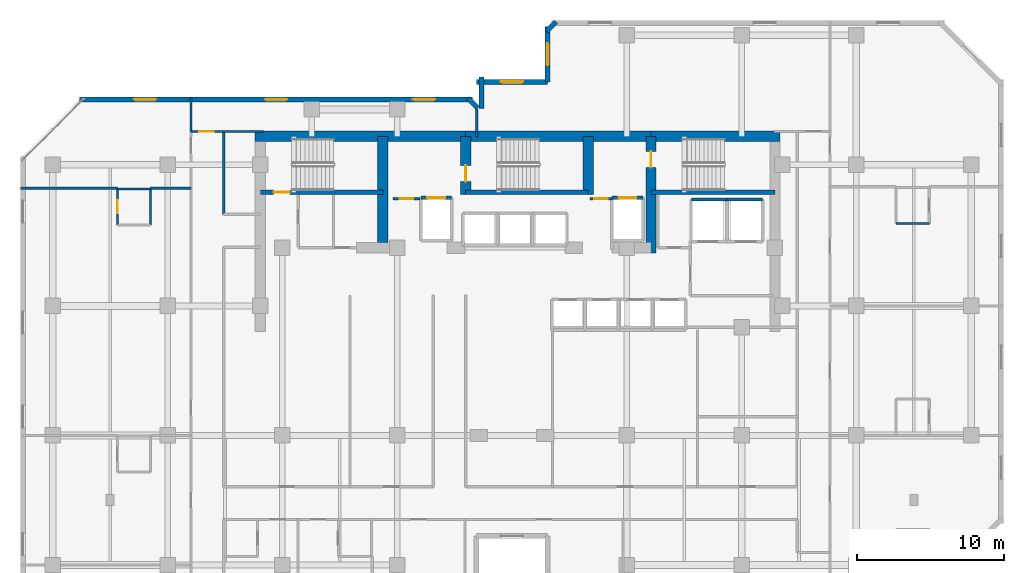
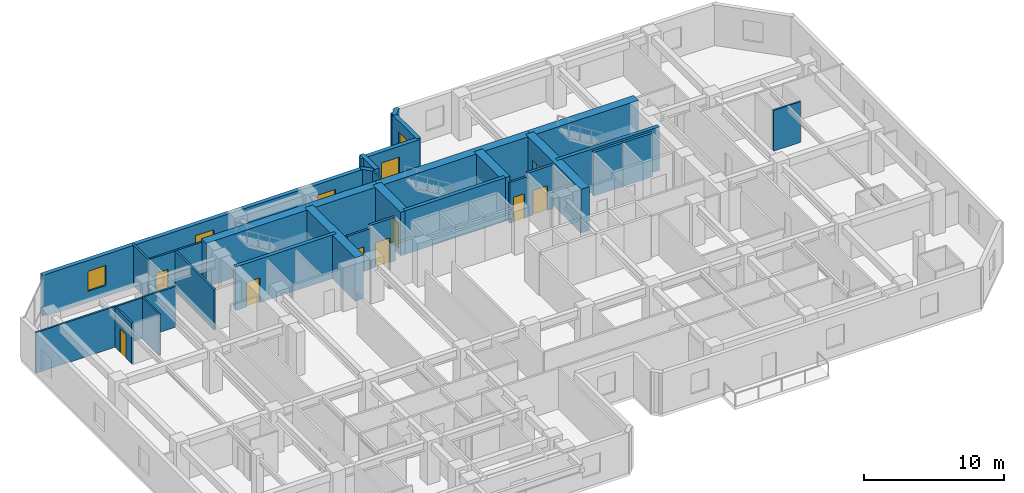
# One storey, part 8 of 11: 32 walls, 9 doors, 5 windows, 14 openings.
"""IFC4 building model written with IfcOpenShell, lengths in metres."""

import ifcopenshell
import ifcopenshell.guid

model = None  # the IFC model being written
_history = None  # IfcOwnerHistory: only IFC2X3 demands one
_inside = {}  # id of a spatial element -> (the spatial element, [elements in it])
_under = {}  # id of a project, library or spatial element -> (it, [spatial elements below it])
_declared = {}  # id of a project -> (the project, [libraries it declares])
_typed = {}  # id of a type object -> (the type object, [elements of that type])
_made_of = {}  # id of a material, layer set ... -> (it, [elements and type objects made of it])


def new_model(schema):
    """Start an empty IFC model of exactly this schema.

    Asked for "IFC4X3", IfcOpenShell would pick the latest addendum, in which some entities
    have other attributes; the version numbers below select the first issue.
    IFC2X3 requires an IfcOwnerHistory on every rooted entity: one is made here for all.
    """
    global model, _history
    if schema == "IFC4X3":
        model = ifcopenshell.file(schema_version=(4, 3, 0, 0))
    else:
        model = ifcopenshell.file(schema=schema)
    _inside.clear()
    _under.clear()
    _declared.clear()
    _typed.clear()
    _made_of.clear()
    _history = None
    if model.schema == "IFC2X3":
        org = make("IfcOrganization", Name="unknown")
        user = make(
            "IfcPersonAndOrganization",
            ThePerson=make("IfcPerson", FamilyName="unknown"),
            TheOrganization=org,
        )
        app = make(
            "IfcApplication",
            ApplicationDeveloper=org,
            Version="unknown",
            ApplicationFullName="unknown",
            ApplicationIdentifier="unknown",
        )
        _history = make(
            "IfcOwnerHistory",
            OwningUser=user,
            OwningApplication=app,
            ChangeAction="ADDED",
            CreationDate=0,
        )
    return model


def make(cls, **values):
    """One entity of the class cls with the attributes given. An attribute that is None is left unset."""
    return model.create_entity(
        cls, **{name: value for name, value in values.items() if value is not None}
    )


def rooted(cls, **values):
    """An entity with a GlobalId (a new one), such as an element, a storey or a relation."""
    return make(cls, GlobalId=ifcopenshell.guid.new(), OwnerHistory=_history, **values)


def si_unit(unit_type, name, prefix=None):
    """IfcSIUnit, for example si_unit("LENGTHUNIT", "METRE", prefix="MILLI")."""
    return make("IfcSIUnit", UnitType=unit_type, Prefix=prefix, Name=name)


def assignment(units):
    """IfcUnitAssignment: the units of a project."""
    return None if units is None else make("IfcUnitAssignment", Units=units)


def point(xyz):
    """IfcCartesianPoint."""
    return None if xyz is None else make("IfcCartesianPoint", Coordinates=xyz)


def direction(xyz):
    """IfcDirection."""
    return None if xyz is None else make("IfcDirection", DirectionRatios=xyz)


def frame(location, z_axis=None, x_axis=None):
    """IfcAxis2Placement3D, a coordinate frame: its origin and axes. An axis left out is left unset."""
    return make(
        "IfcAxis2Placement3D",
        Location=point(location),
        Axis=direction(z_axis),
        RefDirection=direction(x_axis),
    )


def frame_2d(location, x_axis=None):
    """IfcAxis2Placement2D, a coordinate frame in the plane: its origin and x axis."""
    return make(
        "IfcAxis2Placement2D", Location=point(location), RefDirection=direction(x_axis)
    )


def origin():
    """The frame at (0, 0, 0) with its axes left unset."""
    return frame((0.0, 0.0, 0.0))


def place(relative_to, where):
    """IfcLocalPlacement: puts the frame where relative to a parent placement (None: the world)."""
    return make(
        "IfcLocalPlacement", PlacementRelTo=relative_to, RelativePlacement=where
    )


def context(
    kind, dimensions, precision=None, world=None, true_north=None, identifier=None
):
    """IfcGeometricRepresentationContext, for example the 3D "Model" context."""
    return make(
        "IfcGeometricRepresentationContext",
        ContextIdentifier=identifier,
        ContextType=kind,
        CoordinateSpaceDimension=dimensions,
        Precision=precision,
        WorldCoordinateSystem=world,
        TrueNorth=true_north,
    )


def subcontext(parent, identifier, kind, view, scale=None):
    """IfcGeometricRepresentationSubContext, for example "Body" below "Model"."""
    return make(
        "IfcGeometricRepresentationSubContext",
        ContextIdentifier=identifier,
        ContextType=kind,
        ParentContext=parent,
        TargetScale=scale,
        TargetView=view,
    )


def project(units=None, contexts=None):
    """IfcProject with its units and contexts."""
    return rooted(
        "IfcProject",
        Name="project",
        RepresentationContexts=contexts,
        UnitsInContext=assignment(units),
    )


def spatial(cls, under=None, at=None, **own):
    """A site, building, storey or space (cls), placed at a placement, below another one or the project."""
    s = rooted(cls, ObjectPlacement=at, **own)
    if under is not None:
        _under.setdefault(under.id(), (under, []))[1].append(s)
    return s


def profile(cls, at=None, kind="AREA", **sizes):
    """A parametric profile (cls). Its sizes go by their IFC names, for example OverallWidth=200.0."""
    return make(cls, ProfileType=kind, Position=at, **sizes)


def rectangle(**sizes):
    """IfcRectangleProfileDef."""
    return profile("IfcRectangleProfileDef", **sizes)


def extrude(swept, where, along, depth):
    """IfcExtrudedAreaSolid: the profile swept, set in the frame where, extruded along a direction by depth."""
    return make(
        "IfcExtrudedAreaSolid",
        SweptArea=swept,
        Position=where,
        ExtrudedDirection=direction(along),
        Depth=depth,
    )


def shape(context_of_items, identifier, shape_type, items):
    """IfcShapeRepresentation: the items that make up one representation, for example the "Body"."""
    return make(
        "IfcShapeRepresentation",
        ContextOfItems=context_of_items,
        RepresentationIdentifier=identifier,
        RepresentationType=shape_type,
        Items=items,
    )


def material(Name=None, Category=None):
    """IfcMaterial."""
    return make("IfcMaterial", Name=Name, Category=Category)


def layer(
    of_material, thickness, ventilated=None, Name=None, Category=None, Priority=None
):
    """IfcMaterialLayer: one layer of a wall or slab, of a material (None: an air gap)."""
    return make(
        "IfcMaterialLayer",
        Material=of_material,
        LayerThickness=thickness,
        IsVentilated=ventilated,
        Name=Name,
        Category=Category,
        Priority=Priority,
    )


def layer_set(layers, Name=None):
    """IfcMaterialLayerSet."""
    return make("IfcMaterialLayerSet", MaterialLayers=layers, LayerSetName=Name)


def made_of(thing, what):
    """Note that an element or type object is made of a material, layer set ...; save() writes the relation."""
    if what is not None:
        _made_of.setdefault(what.id(), (what, []))[1].append(thing)
    return thing


def type_object(cls, material=None, **own):
    """A type object (cls), such as IfcWallType, which elements share."""
    return made_of(rooted(cls, **own), material)


def element(
    cls,
    number,
    at=None,
    inside=None,
    cuts=None,
    type_object=None,
    material=None,
    context=None,
    identifier="Body",
    shape_type=None,
    held_by="IfcProductDefinitionShape",
    body=None,
    shapes=None,
    **own,
):
    """One element of the class cls, such as IfcWall. Its Tag is "e" and its number.

    at: its placement. inside: the storey or other place that contains it. cuts: it is an
    opening in that element (IfcRelVoidsElement). A single representation is given by context,
    identifier, shape_type and body (its items); several are given by shapes. held_by: the class
    of the entity that holds the representations. save() writes the other relations.
    """
    e = rooted(cls, Tag="e%d" % number, ObjectPlacement=at, **own)
    if body is not None:
        shapes = [shape(context, identifier, shape_type, body)]
    if shapes is not None:
        e.Representation = make(held_by, Representations=shapes)
    if inside is not None:
        _inside.setdefault(inside.id(), (inside, []))[1].append(e)
    if cuts is not None:
        rooted(
            "IfcRelVoidsElement", RelatingBuildingElement=cuts, RelatedOpeningElement=e
        )
    if type_object is not None:
        _typed.setdefault(type_object.id(), (type_object, []))[1].append(e)
    return made_of(e, material)


def fill(opening, filler):
    """IfcRelFillsElement: the door or window that sits in an opening."""
    return rooted(
        "IfcRelFillsElement",
        RelatingOpeningElement=opening,
        RelatedBuildingElement=filler,
    )


def aggregate(whole, parts):
    """IfcRelAggregates: a whole, such as a stair, and the parts it consists of."""
    return rooted("IfcRelAggregates", RelatingObject=whole, RelatedObjects=parts)


def save(model, path):
    """Write the relations noted so far, then the file.

    IfcRelAggregates (storeys below a building ...), IfcRelContainedInSpatialStructure (elements
    in a storey), IfcRelDefinesByType, IfcRelAssociatesMaterial and IfcRelDeclares: one each for
    every whole, place, type object, material and project.
    """
    for whole, parts in _under.values():
        aggregate(whole, parts)
    for where, things in _inside.values():
        rooted(
            "IfcRelContainedInSpatialStructure",
            RelatedElements=things,
            RelatingStructure=where,
        )
    for kind, things in _typed.values():
        rooted("IfcRelDefinesByType", RelatedObjects=things, RelatingType=kind)
    for what, things in _made_of.values():
        rooted("IfcRelAssociatesMaterial", RelatedObjects=things, RelatingMaterial=what)
    for by, libraries in _declared.values():
        rooted("IfcRelDeclares", RelatingContext=by, RelatedDefinitions=libraries)
    model.write(path)


model = new_model("IFC4")

# Units and contexts
model_context = context("Model", 3, precision=1e-05, world=origin(), true_north=direction((0.0, 1.0)))
body_context = subcontext(model_context, "Body", "Model", "MODEL_VIEW")
ifc_project = project(units=[si_unit("LENGTHUNIT", "METRE"), si_unit("AREAUNIT", "SQUARE_METRE"), si_unit("VOLUMEUNIT", "CUBIC_METRE"), si_unit("PLANEANGLEUNIT", "RADIAN"), si_unit("MASSUNIT", "GRAM", prefix="KILO")], contexts=[model_context])

# Site, building, storey
site_placement = place(None, origin())
site = spatial("IfcSite", under=ifc_project, at=site_placement, CompositionType="ELEMENT")
building_placement = place(site_placement, origin())
building = spatial("IfcBuilding", under=site, at=building_placement, Name="Kestravale Grand Hotel", CompositionType="ELEMENT")
storey_placement = place(building_placement, frame((0.0, 0.0, 161.199951171875)))
storey = spatial("IfcBuildingStorey", under=building, at=storey_placement, Name="L40", CompositionType="ELEMENT", Elevation=161.199951171875)

# Walls
ifc_material_1 = material(Name="Concrete f'c 60 MPa", Category="concrete")
ifc_layer_1 = layer(ifc_material_1, 0.699951171875)
ifc_layer_set_1 = layer_set([ifc_layer_1], Name="EW-CORE-700")
wall_type_1 = type_object("IfcWallType", Name="EW-CORE-700", PredefinedType="SHEAR", material=ifc_layer_set_1)
wall_1_placement = place(storey_placement, frame((21.550048828125, 40.320068359375, 0.0), z_axis=(0.0, 0.0, 1.0), x_axis=(1.0, 0.0, 0.0)))
element("IfcWall", 1, at=wall_1_placement, inside=storey, type_object=wall_type_1, Name="L40 core shear wall N1", PredefinedType="SHEAR", context=body_context, shape_type="SweptSolid", body=[
    extrude(rectangle(XDim=14.300048828125, YDim=0.699951171875, at=frame_2d((7.14990234375, 0.0))), origin(), (0.0, 0.0, 1.0), 3.800048828125),
])
wall_2_placement = place(storey_placement, frame((35.85009765625, 40.320068359375, 0.0), z_axis=(0.0, 0.0, 1.0), x_axis=(1.0, 0.0, 0.0)))
element("IfcWall", 2, at=wall_2_placement, inside=storey, type_object=wall_type_1, Name="L40 core shear wall N2", PredefinedType="SHEAR", context=body_context, shape_type="SweptSolid", body=[
    extrude(rectangle(XDim=12.599853515625, YDim=0.699951171875, at=frame_2d((6.2998046875, 0.0))), origin(), (0.0, 0.0, 1.0), 3.800048828125),
])
wall_3_placement = place(storey_placement, frame((48.449951171875, 40.320068359375, 0.0), z_axis=(0.0, 0.0, 1.0), x_axis=(1.0, 0.0, 0.0)))
element("IfcWall", 3, at=wall_3_placement, inside=storey, type_object=wall_type_1, Name="L40 core shear wall N3", PredefinedType="SHEAR", context=body_context, shape_type="SweptSolid", body=[
    extrude(rectangle(XDim=8.77001953125, YDim=0.699951171875, at=frame_2d((4.385009765625, 0.0))), origin(), (0.0, 0.0, 1.0), 3.800048828125),
])
wall_4_placement = place(storey_placement, frame((30.219970703125, 33.10009765625, 0.0), z_axis=(0.0, 0.0, 1.0), x_axis=(0.0, 1.0, 0.0)))
element("IfcWall", 4, at=wall_4_placement, inside=storey, type_object=wall_type_1, Name="L40 core shear wall X1", PredefinedType="SHEAR", context=body_context, shape_type="SweptSolid", body=[
    extrude(rectangle(XDim=7.219970703125, YDim=0.699951171875, at=frame_2d((3.60986328125, 0.0))), origin(), (0.0, 0.0, 1.0), 3.800048828125),
])

# Wall, opening, door
wall_5_placement = place(storey_placement, frame((35.85009765625, 36.3701171875, 0.0), z_axis=(0.0, 0.0, 1.0), x_axis=(0.0, 1.0, 0.0)))
wall_5 = element("IfcWall", 5, at=wall_5_placement, inside=storey, type_object=wall_type_1, Name="L40 core shear wall X2", PredefinedType="SHEAR", context=body_context, shape_type="SweptSolid", body=[
    extrude(rectangle(XDim=3.949951171875, YDim=0.699951171875, at=frame_2d((1.97509765625, 0.0))), origin(), (0.0, 0.0, 1.0), 3.800048828125),
])
opening_1_placement = place(wall_5_placement, frame((0.8798828125, 0.0, 0.0)))
opening_1 = element("IfcOpeningElement", 6, at=opening_1_placement, cuts=wall_5, Name="Opening D-ST-1100", PredefinedType="OPENING", context=body_context, shape_type="SweptSolid", body=[
    extrude(rectangle(XDim=1.10009765625, YDim=2.14990234375, at=frame_2d((0.550048828125, 1.074951171875))), frame((0.0, 0.35986328125, 0.0), z_axis=(0.0, -1.0, 0.0), x_axis=(1.0, 0.0, 0.0)), (0.0, 0.0, 1.0), 0.719970703125),
])
ifc_material_2 = material(Name="Galvanised 90-minute fire-rated steel stair door", Category="steel")
door_type_1 = type_object("IfcDoorType", Name="D-ST-1100", OperationType="NOTDEFINED", PredefinedType="DOOR", material=ifc_material_2)
door_1_placement = place(opening_1_placement, origin())
door_1 = element("IfcDoor", 7, at=door_1_placement, inside=storey, type_object=door_type_1, Name="L40 Stair ST-2 FSAE fire door", OperationType="SINGLE_SWING_RIGHT", OverallHeight=2.14990234375, OverallWidth=1.10009765625, PredefinedType="DOOR", context=body_context, shape_type="SweptSolid", body=[
    extrude(rectangle(XDim=1.10009765625, YDim=2.14990234375, at=frame_2d((0.550048828125, 1.074951171875))), frame((0.0, 0.02490234375, 0.0), z_axis=(0.0, -1.0, 0.0), x_axis=(1.0, 0.0, 0.0)), (0.0, 0.0, 1.0), 0.050048828125),
])
fill(opening_1, door_1)

# Wall
wall_6_placement = place(storey_placement, frame((44.179931640625, 36.3701171875, 0.0), z_axis=(0.0, 0.0, 1.0), x_axis=(0.0, 1.0, 0.0)))
element("IfcWall", 8, at=wall_6_placement, inside=storey, type_object=wall_type_1, Name="L40 core shear wall X3", PredefinedType="SHEAR", context=body_context, shape_type="SweptSolid", body=[
    extrude(rectangle(XDim=3.949951171875, YDim=0.699951171875, at=frame_2d((1.97509765625, 0.0))), origin(), (0.0, 0.0, 1.0), 3.800048828125),
])

# Wall, opening, door
wall_7_placement = place(storey_placement, frame((48.449951171875, 32.39990234375, 0.0), z_axis=(0.0, 0.0, 1.0), x_axis=(0.0, 1.0, 0.0)))
wall_7 = element("IfcWall", 9, at=wall_7_placement, inside=storey, type_object=wall_type_1, Name="L40 core shear wall X4", PredefinedType="SHEAR", context=body_context, shape_type="SweptSolid", body=[
    extrude(rectangle(XDim=7.920166015625, YDim=0.699951171875, at=frame_2d((3.9599609375, 0.0))), origin(), (0.0, 0.0, 1.0), 3.800048828125),
])
opening_2_placement = place(wall_7_placement, frame((5.800048828125, 0.0, 0.0)))
opening_2 = element("IfcOpeningElement", 10, at=opening_2_placement, cuts=wall_7, Name="Opening D-ST-1100", PredefinedType="OPENING", context=body_context, shape_type="SweptSolid", body=[
    extrude(rectangle(XDim=1.10009765625, YDim=2.14990234375, at=frame_2d((0.550048828125, 1.074951171875))), frame((0.0, 0.35986328125, 0.0), z_axis=(0.0, -1.0, 0.0), x_axis=(1.0, 0.0, 0.0)), (0.0, 0.0, 1.0), 0.719970703125),
])
door_2_placement = place(opening_2_placement, origin())
door_2 = element("IfcDoor", 11, at=door_2_placement, inside=storey, type_object=door_type_1, Name="L40 Stair ST-3 FSAE fire door", OperationType="SINGLE_SWING_RIGHT", OverallHeight=2.14990234375, OverallWidth=1.10009765625, PredefinedType="DOOR", context=body_context, shape_type="SweptSolid", body=[
    extrude(rectangle(XDim=1.10009765625, YDim=2.14990234375, at=frame_2d((0.550048828125, 1.074951171875))), frame((0.0, 0.02490234375, 0.0), z_axis=(0.0, -1.0, 0.0), x_axis=(1.0, 0.0, 0.0)), (0.0, 0.0, 1.0), 0.050048828125),
])
fill(opening_2, door_2)

# Wall
ifc_material_3 = material(Name="Precast concrete f'c 45 MPa", Category="concrete")
ifc_layer_2 = layer(ifc_material_3, 0.340087890625)
ifc_layer_set_2 = layer_set([ifc_layer_2], Name="EW-PREC-340")
wall_type_2 = type_object("IfcWallType", Name="EW-PREC-340", PredefinedType="SOLIDWALL", material=ifc_layer_set_2)
wall_8_placement = place(storey_placement, frame((41.99853515625, 48.108154296875, 0.0), z_axis=(0.0, 0.0, 1.0), x_axis=(-0.707106781187, -0.707106781187, 0.0)))
element("IfcWall", 12, at=wall_8_placement, inside=storey, type_object=wall_type_2, Name="L40 fluted precast facade wall 12", PredefinedType="SOLIDWALL", context=body_context, shape_type="SweptSolid", body=[
    extrude(rectangle(XDim=0.9287109375, YDim=0.340087890625, at=frame_2d((0.46435546875, 0.0))), origin(), (0.0, 0.0, 1.0), 3.550048828125),
])

# Wall, opening, window
wall_9_placement = place(storey_placement, frame((41.419921875, 47.77001953125, 0.0), z_axis=(0.0, 0.0, 1.0), x_axis=(0.0, -1.0, 0.0)))
wall_9 = element("IfcWall", 13, at=wall_9_placement, inside=storey, type_object=wall_type_2, Name="L40 fluted precast facade wall 13", PredefinedType="SOLIDWALL", context=body_context, shape_type="SweptSolid", body=[
    extrude(rectangle(XDim=3.739990234375, YDim=0.340087890625, at=frame_2d((1.8701171875, 0.0))), origin(), (0.0, 0.0, 1.0), 3.550048828125),
])
opening_3_placement = place(wall_9_placement, frame((1.1201171875, 0.0, 0.85009765625)))
opening_3 = element("IfcOpeningElement", 14, at=opening_3_placement, cuts=wall_9, Name="Opening W-GUEST-1500", PredefinedType="OPENING", context=body_context, shape_type="SweptSolid", body=[
    extrude(rectangle(XDim=1.5, YDim=1.75, at=frame_2d((0.75, 0.875))), frame((0.0, 0.179931640625, 0.0), z_axis=(0.0, -1.0, 0.0), x_axis=(1.0, 0.0, 0.0)), (0.0, 0.0, 1.0), 0.360107421875),
])
ifc_material_4 = material(Name="Insulated low-E double glazing in aluminium frame", Category="aluminium")
window_type = type_object("IfcWindowType", Name="W-GUEST-1500", PartitioningType="SINGLE_PANEL", PredefinedType="WINDOW", material=ifc_material_4)
window_1_placement = place(opening_3_placement, origin())
window_1 = element("IfcWindow", 15, at=window_1_placement, inside=storey, type_object=window_type, Name="L40 exterior window 13.1", OverallHeight=1.75, OverallWidth=1.5, PartitioningType="SINGLE_PANEL", PredefinedType="WINDOW", context=body_context, shape_type="SweptSolid", body=[
    extrude(rectangle(XDim=1.5, YDim=1.75, at=frame_2d((0.75, 0.875))), frame((0.0, 0.030029296875, 0.0), z_axis=(0.0, -1.0, 0.0), x_axis=(1.0, 0.0, 0.0)), (0.0, 0.0, 1.0), 0.06005859375),
])
fill(opening_3, window_1)

wall_10_placement = place(storey_placement, frame((41.419921875, 44.030029296875, 0.0), z_axis=(0.0, 0.0, 1.0), x_axis=(-1.0, 0.0, 0.0)))
wall_10 = element("IfcWall", 16, at=wall_10_placement, inside=storey, type_object=wall_type_2, Name="L40 fluted precast facade wall 14", PredefinedType="SOLIDWALL", context=body_context, shape_type="SweptSolid", body=[
    extrude(rectangle(XDim=4.83984375, YDim=0.340087890625, at=frame_2d((2.419921875, 0.0))), origin(), (0.0, 0.0, 1.0), 3.550048828125),
])
opening_4_placement = place(wall_10_placement, frame((1.669921875, 0.0, 0.85009765625)))
opening_4 = element("IfcOpeningElement", 17, at=opening_4_placement, cuts=wall_10, Name="Opening W-GUEST-1500", PredefinedType="OPENING", context=body_context, shape_type="SweptSolid", body=[
    extrude(rectangle(XDim=1.5, YDim=1.75, at=frame_2d((0.75, 0.875))), frame((0.0, 0.179931640625, 0.0), z_axis=(0.0, -1.0, 0.0), x_axis=(1.0, 0.0, 0.0)), (0.0, 0.0, 1.0), 0.360107421875),
])
window_2_placement = place(opening_4_placement, origin())
window_2 = element("IfcWindow", 18, at=window_2_placement, inside=storey, type_object=window_type, Name="L40 exterior window 14.1", OverallHeight=1.75, OverallWidth=1.5, PartitioningType="SINGLE_PANEL", PredefinedType="WINDOW", context=body_context, shape_type="SweptSolid", body=[
    extrude(rectangle(XDim=1.5, YDim=1.75, at=frame_2d((0.75, 0.875))), frame((0.0, 0.030029296875, 0.0), z_axis=(0.0, -1.0, 0.0), x_axis=(1.0, 0.0, 0.0)), (0.0, 0.0, 1.0), 0.06005859375),
])
fill(opening_4, window_2)

# Walls
wall_11_placement = place(storey_placement, frame((36.919921875, 44.3701171875, 0.0), z_axis=(0.0, 0.0, 1.0), x_axis=(0.0, -1.0, 0.0)))
element("IfcWall", 19, at=wall_11_placement, inside=storey, type_object=wall_type_2, Name="L40 fluted precast facade wall 15", PredefinedType="SOLIDWALL", context=body_context, shape_type="SweptSolid", body=[
    extrude(rectangle(XDim=2.14013671875, YDim=0.340087890625, at=frame_2d((1.070068359375, 0.0))), origin(), (0.0, 0.0, 1.0), 3.550048828125),
])
wall_12_placement = place(storey_placement, frame((36.658203125, 42.25146484375, 0.0), z_axis=(0.0, 0.0, 1.0), x_axis=(-0.707106781187, 0.707106781187, 0.0)))
element("IfcWall", 20, at=wall_12_placement, inside=storey, type_object=wall_type_2, Name="L40 fluted precast facade wall 16", PredefinedType="SOLIDWALL", context=body_context, shape_type="SweptSolid", body=[
    extrude(rectangle(XDim=0.9287109375, YDim=0.340087890625, at=frame_2d((0.46435546875, 0.0))), origin(), (0.0, 0.0, 1.0), 3.550048828125),
])

# Wall, openings, windows
wall_13_placement = place(storey_placement, frame((36.320068359375, 42.830078125, 0.0), z_axis=(0.0, 0.0, 1.0), x_axis=(-1.0, 0.0, 0.0)))
wall_13 = element("IfcWall", 21, at=wall_13_placement, inside=storey, type_object=wall_type_2, Name="L40 fluted precast facade wall 17", PredefinedType="SOLIDWALL", context=body_context, shape_type="SweptSolid", body=[
    extrude(rectangle(XDim=26.690185546875, YDim=0.340087890625, at=frame_2d((13.34521484375, 0.0))), origin(), (0.0, 0.0, 1.0), 3.550048828125),
])
opening_5_placement = place(wall_13_placement, frame((2.54833984375, 0.0, 0.85009765625)))
opening_5 = element("IfcOpeningElement", 22, at=opening_5_placement, cuts=wall_13, Name="Opening W-GUEST-1500", PredefinedType="OPENING", context=body_context, shape_type="SweptSolid", body=[
    extrude(rectangle(XDim=1.5, YDim=1.75, at=frame_2d((0.75, 0.875))), frame((0.0, 0.179931640625, 0.0), z_axis=(0.0, -1.0, 0.0), x_axis=(1.0, 0.0, 0.0)), (0.0, 0.0, 1.0), 0.360107421875),
])
opening_6_placement = place(wall_13_placement, frame((12.594970703125, 0.0, 0.85009765625)))
opening_6 = element("IfcOpeningElement", 23, at=opening_6_placement, cuts=wall_13, Name="Opening W-GUEST-1500", PredefinedType="OPENING", context=body_context, shape_type="SweptSolid", body=[
    extrude(rectangle(XDim=1.5, YDim=1.75, at=frame_2d((0.75, 0.875))), frame((0.0, 0.179931640625, 0.0), z_axis=(0.0, -1.0, 0.0), x_axis=(1.0, 0.0, 0.0)), (0.0, 0.0, 1.0), 0.360107421875),
])
opening_7_placement = place(wall_13_placement, frame((21.49169921875, 0.0, 0.85009765625)))
opening_7 = element("IfcOpeningElement", 24, at=opening_7_placement, cuts=wall_13, Name="Opening W-GUEST-1500", PredefinedType="OPENING", context=body_context, shape_type="SweptSolid", body=[
    extrude(rectangle(XDim=1.5, YDim=1.75, at=frame_2d((0.75, 0.875))), frame((0.0, 0.179931640625, 0.0), z_axis=(0.0, -1.0, 0.0), x_axis=(1.0, 0.0, 0.0)), (0.0, 0.0, 1.0), 0.360107421875),
])
window_3_placement = place(opening_5_placement, origin())
window_3 = element("IfcWindow", 25, at=window_3_placement, inside=storey, type_object=window_type, Name="L40 exterior window 17.1", OverallHeight=1.75, OverallWidth=1.5, PartitioningType="SINGLE_PANEL", PredefinedType="WINDOW", context=body_context, shape_type="SweptSolid", body=[
    extrude(rectangle(XDim=1.5, YDim=1.75, at=frame_2d((0.75, 0.875))), frame((0.0, 0.030029296875, 0.0), z_axis=(0.0, -1.0, 0.0), x_axis=(1.0, 0.0, 0.0)), (0.0, 0.0, 1.0), 0.06005859375),
])
fill(opening_5, window_3)
window_4_placement = place(opening_6_placement, origin())
window_4 = element("IfcWindow", 26, at=window_4_placement, inside=storey, type_object=window_type, Name="L40 exterior window 17.2", OverallHeight=1.75, OverallWidth=1.5, PartitioningType="SINGLE_PANEL", PredefinedType="WINDOW", context=body_context, shape_type="SweptSolid", body=[
    extrude(rectangle(XDim=1.5, YDim=1.75, at=frame_2d((0.75, 0.875))), frame((0.0, 0.030029296875, 0.0), z_axis=(0.0, -1.0, 0.0), x_axis=(1.0, 0.0, 0.0)), (0.0, 0.0, 1.0), 0.06005859375),
])
fill(opening_6, window_4)
window_5_placement = place(opening_7_placement, origin())
window_5 = element("IfcWindow", 27, at=window_5_placement, inside=storey, type_object=window_type, Name="L40 exterior window 17.3", OverallHeight=1.75, OverallWidth=1.5, PartitioningType="SINGLE_PANEL", PredefinedType="WINDOW", context=body_context, shape_type="SweptSolid", body=[
    extrude(rectangle(XDim=1.5, YDim=1.75, at=frame_2d((0.75, 0.875))), frame((0.0, 0.030029296875, 0.0), z_axis=(0.0, -1.0, 0.0), x_axis=(1.0, 0.0, 0.0)), (0.0, 0.0, 1.0), 0.06005859375),
])
fill(opening_7, window_5)

# Wall, opening, door
ifc_material_5 = material(Name="Concrete f'c 45 MPa", Category="concrete")
ifc_layer_3 = layer(ifc_material_5, 0.300048828125)
ifc_layer_set_3 = layer_set([ifc_layer_3], Name="EW-STAIR-300")
wall_type_3 = type_object("IfcWallType", Name="EW-STAIR-300", PredefinedType="SHEAR", material=ifc_layer_set_3)
wall_14_placement = place(storey_placement, frame((21.89990234375, 36.52001953125, 0.0), z_axis=(0.0, 0.0, 1.0), x_axis=(1.0, 0.0, 0.0)))
wall_14 = element("IfcWall", 28, at=wall_14_placement, inside=storey, type_object=wall_type_3, Name="L40 stair enclosure shear wall SST1", PredefinedType="SHEAR", context=body_context, shape_type="SweptSolid", body=[
    extrude(rectangle(XDim=8.320068359375, YDim=0.300048828125, at=frame_2d((4.16015625, 0.0))), origin(), (0.0, 0.0, 1.0), 3.800048828125),
])
opening_8_placement = place(wall_14_placement, frame((0.89990234375, 0.0, 0.0)))
opening_8 = element("IfcOpeningElement", 29, at=opening_8_placement, cuts=wall_14, Name="Opening D-ST-1100", PredefinedType="OPENING", context=body_context, shape_type="SweptSolid", body=[
    extrude(rectangle(XDim=1.10009765625, YDim=2.14990234375, at=frame_2d((0.550048828125, 1.074951171875))), frame((0.0, 0.159912109375, 0.0), z_axis=(0.0, -1.0, 0.0), x_axis=(1.0, 0.0, 0.0)), (0.0, 0.0, 1.0), 0.320068359375),
])
door_3_placement = place(opening_8_placement, origin())
door_3 = element("IfcDoor", 30, at=door_3_placement, inside=storey, type_object=door_type_1, Name="L40 Stair ST-1 fire door", OperationType="SINGLE_SWING_RIGHT", OverallHeight=2.14990234375, OverallWidth=1.10009765625, PredefinedType="DOOR", context=body_context, shape_type="SweptSolid", body=[
    extrude(rectangle(XDim=1.10009765625, YDim=2.14990234375, at=frame_2d((0.550048828125, 1.074951171875))), frame((0.0, 0.02490234375, 0.0), z_axis=(0.0, -1.0, 0.0), x_axis=(1.0, 0.0, 0.0)), (0.0, 0.0, 1.0), 0.050048828125),
])
fill(opening_8, door_3)

# Walls
wall_15_placement = place(storey_placement, frame((35.85009765625, 36.52001953125, 0.0), z_axis=(0.0, 0.0, 1.0), x_axis=(1.0, 0.0, 0.0)))
element("IfcWall", 31, at=wall_15_placement, inside=storey, type_object=wall_type_3, Name="L40 stair enclosure shear wall SST2", PredefinedType="SHEAR", context=body_context, shape_type="SweptSolid", body=[
    extrude(rectangle(XDim=8.329833984375, YDim=0.300048828125, at=frame_2d((4.1650390625, 0.0))), origin(), (0.0, 0.0, 1.0), 3.800048828125),
])
wall_16_placement = place(storey_placement, frame((48.449951171875, 36.52001953125, 0.0), z_axis=(0.0, 0.0, 1.0), x_axis=(1.0, 0.0, 0.0)))
element("IfcWall", 32, at=wall_16_placement, inside=storey, type_object=wall_type_3, Name="L40 stair enclosure shear wall SST3", PredefinedType="SHEAR", context=body_context, shape_type="SweptSolid", body=[
    extrude(rectangle(XDim=8.420166015625, YDim=0.300048828125, at=frame_2d((4.2099609375, 0.0))), origin(), (0.0, 0.0, 1.0), 3.800048828125),
])
ifc_material_6 = material(Name="Acoustic fire-rated gypsum board partition", Category="other")
ifc_layer_4 = layer(ifc_material_6, 0.159912109375)
ifc_layer_set_4 = layer_set([ifc_layer_4], Name="IW-CORR-160")
wall_type_4 = type_object("IfcWallType", Name="IW-CORR-160", PredefinedType="PARTITIONING", material=ifc_layer_set_4)
wall_17_placement = place(storey_placement, frame((19.409912109375, 35.02001953125, 0.0), z_axis=(0.0, 0.0, 1.0), x_axis=(0.0, 1.0, 0.0)))
element("IfcWall", 33, at=wall_17_placement, inside=storey, type_object=wall_type_4, Name="W-L40-SW-EN", PredefinedType="PARTITIONING", context=body_context, shape_type="SweptSolid", body=[
    extrude(rectangle(XDim=5.6298828125, YDim=0.159912109375, at=frame_2d((2.81494140625, 0.0))), origin(), (0.0, 0.0, 1.0), 3.550048828125),
])

# Wall, opening, door
ifc_material_7 = material(Name="Fire-rated gypsum board on steel studs with mineral wool", Category="steel")
ifc_layer_5 = layer(ifc_material_7, 0.179931640625)
ifc_layer_set_5 = layer_set([ifc_layer_5], Name="IW-FSAE-180")
wall_type_5 = type_object("IfcWallType", Name="IW-FSAE-180", PredefinedType="PARTITIONING", material=ifc_layer_set_5)
wall_18_placement = place(storey_placement, frame((30.89990234375, 36.080078125, 0.0), z_axis=(0.0, 0.0, 1.0), x_axis=(1.0, 0.0, 0.0)))
wall_18 = element("IfcWall", 34, at=wall_18_placement, inside=storey, type_object=wall_type_5, Name="L40 FSAE Lobby 1 smoke barrier", PredefinedType="PARTITIONING", context=body_context, shape_type="SweptSolid", body=[
    extrude(rectangle(XDim=1.85009765625, YDim=0.179931640625, at=frame_2d((0.925048828125, 0.0))), origin(), (0.0, 0.0, 1.0), 3.550048828125),
])
opening_9_placement = place(wall_18_placement, frame((0.47998046875, 0.0, 0.0)))
opening_9 = element("IfcOpeningElement", 35, at=opening_9_placement, cuts=wall_18, Name="Opening D-FSAE-1000", PredefinedType="OPENING", context=body_context, shape_type="SweptSolid", body=[
    extrude(rectangle(XDim=0.89990234375, YDim=2.14990234375, at=frame_2d((0.449951171875, 1.074951171875))), frame((0.0, 0.099853515625, 0.0), z_axis=(0.0, -1.0, 0.0), x_axis=(1.0, 0.0, 0.0)), (0.0, 0.0, 1.0), 0.199951171875),
])
ifc_material_8 = material(Name="Smoke-gasketed FSAE lobby fire door", Category="steel")
door_type_2 = type_object("IfcDoorType", Name="D-FSAE-1000", OperationType="NOTDEFINED", PredefinedType="DOOR", material=ifc_material_8)
door_4_placement = place(opening_9_placement, origin())
door_4 = element("IfcDoor", 36, at=door_4_placement, inside=storey, type_object=door_type_2, Name="L40 FSAE Lobby 1 fire door", OperationType="SINGLE_SWING_RIGHT", OverallHeight=2.14990234375, OverallWidth=0.89990234375, PredefinedType="DOOR", context=body_context, shape_type="SweptSolid", body=[
    extrude(rectangle(XDim=0.89990234375, YDim=2.14990234375, at=frame_2d((0.449951171875, 1.074951171875))), frame((0.0, 0.02490234375, 0.0), z_axis=(0.0, -1.0, 0.0), x_axis=(1.0, 0.0, 0.0)), (0.0, 0.0, 1.0), 0.050048828125),
])
fill(opening_9, door_4)

wall_19_placement = place(storey_placement, frame((44.300048828125, 36.080078125, 0.0), z_axis=(0.0, 0.0, 1.0), x_axis=(1.0, 0.0, 0.0)))
wall_19 = element("IfcWall", 37, at=wall_19_placement, inside=storey, type_object=wall_type_5, Name="L40 FSAE Lobby 2 smoke barrier", PredefinedType="PARTITIONING", context=body_context, shape_type="SweptSolid", body=[
    extrude(rectangle(XDim=1.5, YDim=0.179931640625, at=frame_2d((0.75, 0.0))), origin(), (0.0, 0.0, 1.0), 3.550048828125),
])
opening_10_placement = place(wall_19_placement, frame((0.300048828125, 0.0, 0.0)))
opening_10 = element("IfcOpeningElement", 38, at=opening_10_placement, cuts=wall_19, Name="Opening D-FSAE-1000", PredefinedType="OPENING", context=body_context, shape_type="SweptSolid", body=[
    extrude(rectangle(XDim=0.89990234375, YDim=2.14990234375, at=frame_2d((0.449951171875, 1.074951171875))), frame((0.0, 0.099853515625, 0.0), z_axis=(0.0, -1.0, 0.0), x_axis=(1.0, 0.0, 0.0)), (0.0, 0.0, 1.0), 0.199951171875),
])
door_5_placement = place(opening_10_placement, origin())
door_5 = element("IfcDoor", 39, at=door_5_placement, inside=storey, type_object=door_type_2, Name="L40 FSAE Lobby 2 fire door", OperationType="SINGLE_SWING_LEFT", OverallHeight=2.14990234375, OverallWidth=0.89990234375, PredefinedType="DOOR", context=body_context, shape_type="SweptSolid", body=[
    extrude(rectangle(XDim=0.89990234375, YDim=2.14990234375, at=frame_2d((0.449951171875, 1.074951171875))), frame((0.0, 0.02490234375, 0.0), z_axis=(0.0, -1.0, 0.0), x_axis=(1.0, 0.0, 0.0)), (0.0, 0.0, 1.0), 0.050048828125),
])
fill(opening_10, door_5)

ifc_material_9 = material(Name="Moisture-resistant tile-backer plumbing chase wall", Category="other")
ifc_layer_6 = layer(ifc_material_9, 0.139892578125)
ifc_layer_set_6 = layer_set([ifc_layer_6], Name="IW-PLB-140")
wall_type_6 = type_object("IfcWallType", Name="IW-PLB-140", PredefinedType="PLUMBINGWALL", material=ifc_layer_set_6)
wall_20_placement = place(storey_placement, frame((12.199951171875, 34.31005859375, 0.0), z_axis=(0.0, 0.0, 1.0), x_axis=(0.0, 1.0, 0.0)))
wall_20 = element("IfcWall", 40, at=wall_20_placement, inside=storey, type_object=wall_type_6, Name="W-L40-U05-BW", PredefinedType="PLUMBINGWALL", context=body_context, shape_type="SweptSolid", body=[
    extrude(rectangle(XDim=2.449951171875, YDim=0.139892578125, at=frame_2d((1.22509765625, 0.0))), origin(), (0.0, 0.0, 1.0), 3.550048828125),
])
opening_11_placement = place(wall_20_placement, frame((0.784912109375, 0.0, 0.0)))
opening_11 = element("IfcOpeningElement", 41, at=opening_11_placement, cuts=wall_20, Name="Opening D-BATH-880", PredefinedType="OPENING", context=body_context, shape_type="SweptSolid", body=[
    extrude(rectangle(XDim=0.8798828125, YDim=2.050048828125, at=frame_2d((0.43994140625, 1.02490234375))), frame((0.0, 0.079833984375, 0.0), z_axis=(0.0, -1.0, 0.0), x_axis=(1.0, 0.0, 0.0)), (0.0, 0.0, 1.0), 0.159912109375),
])
ifc_material_10 = material(Name="Moisture-sealed walnut en-suite bathroom door", Category="wood")
door_type_3 = type_object("IfcDoorType", Name="D-BATH-880", OperationType="NOTDEFINED", PredefinedType="DOOR", material=ifc_material_10)
door_6_placement = place(opening_11_placement, origin())
door_6 = element("IfcDoor", 42, at=door_6_placement, inside=storey, type_object=door_type_3, Name="D-L40-U05-BATH", OperationType="SINGLE_SWING_LEFT", OverallHeight=2.050048828125, OverallWidth=0.8798828125, PredefinedType="DOOR", context=body_context, shape_type="SweptSolid", body=[
    extrude(rectangle(XDim=0.8798828125, YDim=2.050048828125, at=frame_2d((0.43994140625, 1.02490234375))), frame((0.0, 0.02490234375, 0.0), z_axis=(0.0, -1.0, 0.0), x_axis=(1.0, 0.0, 0.0)), (0.0, 0.0, 1.0), 0.050048828125),
])
fill(opening_11, door_6)

# Walls
wall_21_placement = place(storey_placement, frame((14.449951171875, 34.31005859375, 0.0), z_axis=(0.0, 0.0, 1.0), x_axis=(0.0, 1.0, 0.0)))
element("IfcWall", 43, at=wall_21_placement, inside=storey, type_object=wall_type_6, Name="W-L40-U05-BE", PredefinedType="PLUMBINGWALL", context=body_context, shape_type="SweptSolid", body=[
    extrude(rectangle(XDim=2.449951171875, YDim=0.139892578125, at=frame_2d((1.22509765625, 0.0))), origin(), (0.0, 0.0, 1.0), 3.550048828125),
])
for number, where, z_axis, x_axis, name in (
    (44, (12.199951171875, 36.760009765625, 0.0), (0.0, 0.0, 1.0), (1.0, 0.0, 0.0), "W-L40-U05-BN"),
    (45, (65.10009765625, 34.409912109375, 0.0), (0.0, 0.0, 1.0), (1.0, 0.0, 0.0), "W-L40-U08-BS"),
):
    element("IfcWall", number, at=place(storey_placement, frame(where, z_axis=z_axis, x_axis=x_axis)), inside=storey, type_object=wall_type_6, Name=name, PredefinedType="PLUMBINGWALL", context=body_context, shape_type="SweptSolid", body=[
        extrude(rectangle(XDim=2.25, YDim=0.139892578125, at=frame_2d((1.125, 0.0))), origin(), (0.0, 0.0, 1.0), 3.550048828125),
    ])
ifc_material_11 = material(Name="Concrete f'c 45 MPa", Category="concrete")
ifc_layer_7 = layer(ifc_material_11, 0.219970703125)
ifc_layer_set_7 = layer_set([ifc_layer_7], Name="IW-SHAFT-220")
wall_type_7 = type_object("IfcWallType", Name="IW-SHAFT-220", PredefinedType="SHEAR", material=ifc_layer_set_7)
wall_22_placement = place(storey_placement, frame((51.179931640625, 36.030029296875, 0.0), z_axis=(0.0, 0.0, 1.0), x_axis=(1.0, 0.0, 0.0)))
element("IfcWall", 46, at=wall_22_placement, inside=storey, type_object=wall_type_7, Name="L40 SL-1 north shaft wall", PredefinedType="SHEAR", context=body_context, shape_type="SweptSolid", body=[
    extrude(rectangle(XDim=2.420166015625, YDim=0.219970703125, at=frame_2d((1.2099609375, 0.0))), origin(), (0.0, 0.0, 1.0), 3.800048828125),
])
wall_23_placement = place(storey_placement, frame((53.60009765625, 36.030029296875, 0.0), z_axis=(0.0, 0.0, 1.0), x_axis=(1.0, 0.0, 0.0)))
element("IfcWall", 47, at=wall_23_placement, inside=storey, type_object=wall_type_7, Name="L40 SL-2 north shaft wall", PredefinedType="SHEAR", context=body_context, shape_type="SweptSolid", body=[
    extrude(rectangle(XDim=2.419921875, YDim=0.219970703125, at=frame_2d((1.2099609375, 0.0))), origin(), (0.0, 0.0, 1.0), 3.800048828125),
])

# Wall, opening, door
wall_24_placement = place(storey_placement, frame((32.804931640625, 36.155029296875, 0.0), z_axis=(0.0, 0.0, 1.0), x_axis=(1.0, 0.0, 0.0)))
wall_24 = element("IfcWall", 48, at=wall_24_placement, inside=storey, type_object=wall_type_7, Name="L40 FL-1 north shaft wall", PredefinedType="SHEAR", context=body_context, shape_type="SweptSolid", body=[
    extrude(rectangle(XDim=2.090087890625, YDim=0.219970703125, at=frame_2d((1.044921875, 0.0))), origin(), (0.0, 0.0, 1.0), 3.800048828125),
])
opening_12_placement = place(wall_24_placement, frame((0.445068359375, 0.0, 0.0)))
opening_12 = element("IfcOpeningElement", 49, at=opening_12_placement, cuts=wall_24, Name="Opening LD-FSAE-1200", PredefinedType="OPENING", context=body_context, shape_type="SweptSolid", body=[
    extrude(rectangle(XDim=1.199951171875, YDim=2.14990234375, at=frame_2d((0.60009765625, 1.074951171875))), frame((0.0, 0.119873046875, 0.0), z_axis=(0.0, -1.0, 0.0), x_axis=(1.0, 0.0, 0.0)), (0.0, 0.0, 1.0), 0.239990234375),
])
ifc_material_12 = material(Name="Stainless fire-service sliding elevator landing door", Category="steel")
door_type_4 = type_object("IfcDoorType", Name="LD-FSAE-1200", OperationType="NOTDEFINED", PredefinedType="DOOR", material=ifc_material_12)
door_7_placement = place(opening_12_placement, origin())
door_7 = element("IfcDoor", 50, at=door_7_placement, inside=storey, type_object=door_type_4, Name="L40 FL-1 elevator landing sliding door", OperationType="DOUBLE_DOOR_SLIDING", OverallHeight=2.14990234375, OverallWidth=1.199951171875, PredefinedType="DOOR", context=body_context, shape_type="SweptSolid", body=[
    extrude(rectangle(XDim=1.199951171875, YDim=2.14990234375, at=frame_2d((0.60009765625, 1.074951171875))), frame((0.0, 0.02490234375, 0.0), z_axis=(0.0, -1.0, 0.0), x_axis=(1.0, 0.0, 0.0)), (0.0, 0.0, 1.0), 0.050048828125),
])
fill(opening_12, door_7)

wall_25_placement = place(storey_placement, frame((45.804931640625, 36.155029296875, 0.0), z_axis=(0.0, 0.0, 1.0), x_axis=(1.0, 0.0, 0.0)))
wall_25 = element("IfcWall", 51, at=wall_25_placement, inside=storey, type_object=wall_type_7, Name="L40 FL-2 north shaft wall", PredefinedType="SHEAR", context=body_context, shape_type="SweptSolid", body=[
    extrude(rectangle(XDim=2.090087890625, YDim=0.219970703125, at=frame_2d((1.044921875, 0.0))), origin(), (0.0, 0.0, 1.0), 3.800048828125),
])
opening_13_placement = place(wall_25_placement, frame((0.445068359375, 0.0, 0.0)))
opening_13 = element("IfcOpeningElement", 52, at=opening_13_placement, cuts=wall_25, Name="Opening LD-FSAE-1200", PredefinedType="OPENING", context=body_context, shape_type="SweptSolid", body=[
    extrude(rectangle(XDim=1.199951171875, YDim=2.14990234375, at=frame_2d((0.60009765625, 1.074951171875))), frame((0.0, 0.119873046875, 0.0), z_axis=(0.0, -1.0, 0.0), x_axis=(1.0, 0.0, 0.0)), (0.0, 0.0, 1.0), 0.239990234375),
])
door_8_placement = place(opening_13_placement, origin())
door_8 = element("IfcDoor", 53, at=door_8_placement, inside=storey, type_object=door_type_4, Name="L40 FL-2 elevator landing sliding door", OperationType="DOUBLE_DOOR_SLIDING", OverallHeight=2.14990234375, OverallWidth=1.199951171875, PredefinedType="DOOR", context=body_context, shape_type="SweptSolid", body=[
    extrude(rectangle(XDim=1.199951171875, YDim=2.14990234375, at=frame_2d((0.60009765625, 1.074951171875))), frame((0.0, 0.02490234375, 0.0), z_axis=(0.0, -1.0, 0.0), x_axis=(1.0, 0.0, 0.0)), (0.0, 0.0, 1.0), 0.050048828125),
])
fill(opening_13, door_8)

ifc_material_13 = material(Name="Double-stud STC 52 acoustic demising partition", Category="other")
ifc_layer_8 = layer(ifc_material_13, 0.14990234375)
ifc_layer_set_8 = layer_set([ifc_layer_8], Name="IW-UNIT-150")
wall_type_8 = type_object("IfcWallType", Name="IW-UNIT-150", PredefinedType="PARTITIONING", material=ifc_layer_set_8)
wall_26_placement = place(storey_placement, frame((17.18994140625, 40.64990234375, 0.0), z_axis=(0.0, 0.0, 1.0), x_axis=(1.0, 0.0, 0.0)))
wall_26 = element("IfcWall", 54, at=wall_26_placement, inside=storey, type_object=wall_type_8, Name="W-L40-SW-N", PredefinedType="PARTITIONING", context=body_context, shape_type="SweptSolid", body=[
    extrude(rectangle(XDim=4.91015625, YDim=0.14990234375, at=frame_2d((2.455078125, 0.0))), origin(), (0.0, 0.0, 1.0), 3.550048828125),
])
opening_14_placement = place(wall_26_placement, frame((0.550048828125, 0.0, 0.0)))
opening_14 = element("IfcOpeningElement", 55, at=opening_14_placement, cuts=wall_26, Name="Opening D-GUEST-1000", PredefinedType="OPENING", context=body_context, shape_type="SweptSolid", body=[
    extrude(rectangle(XDim=1.0, YDim=2.14990234375, at=frame_2d((0.5, 1.074951171875))), frame((0.0, 0.0849609375, 0.0), z_axis=(0.0, -1.0, 0.0), x_axis=(1.0, 0.0, 0.0)), (0.0, 0.0, 1.0), 0.169921875),
])
ifc_material_14 = material(Name="Accessible walnut veneer hotel entrance fire door", Category="wood")
door_type_5 = type_object("IfcDoorType", Name="D-GUEST-1000", OperationType="NOTDEFINED", PredefinedType="DOOR", material=ifc_material_14)
door_9_placement = place(opening_14_placement, origin())
door_9 = element("IfcDoor", 56, at=door_9_placement, inside=storey, type_object=door_type_5, Name="L40 NW Gallery Door", OperationType="SINGLE_SWING_RIGHT", OverallHeight=2.14990234375, OverallWidth=1.0, PredefinedType="DOOR", context=body_context, shape_type="SweptSolid", body=[
    extrude(rectangle(XDim=1.0, YDim=2.14990234375, at=frame_2d((0.5, 1.074951171875))), frame((0.0, 0.02490234375, 0.0), z_axis=(0.0, -1.0, 0.0), x_axis=(1.0, 0.0, 0.0)), (0.0, 0.0, 1.0), 0.050048828125),
])
fill(opening_14, door_9)

# Walls
wall_27_placement = place(storey_placement, frame((17.18994140625, 40.64990234375, 0.0), z_axis=(0.0, 0.0, 1.0), x_axis=(0.0, 1.0, 0.0)))
element("IfcWall", 57, at=wall_27_placement, inside=storey, type_object=wall_type_8, Name="W-L40-NGW-W", PredefinedType="PARTITIONING", context=body_context, shape_type="SweptSolid", body=[
    extrude(rectangle(XDim=2.330078125, YDim=0.14990234375, at=frame_2d((1.1650390625, 0.0))), origin(), (0.0, 0.0, 1.0), 3.550048828125),
])
wall_28_placement = place(storey_placement, frame((36.60009765625, 40.320068359375, 0.0), z_axis=(0.0, 0.0, 1.0), x_axis=(0.0, 1.0, 0.0)))
element("IfcWall", 58, at=wall_28_placement, inside=storey, type_object=wall_type_8, Name="W-L40-NGM", PredefinedType="PARTITIONING", context=body_context, shape_type="SweptSolid", body=[
    extrude(rectangle(XDim=1.844970703125, YDim=0.14990234375, at=frame_2d((0.92236328125, 0.0))), origin(), (0.0, 0.0, 1.0), 3.550048828125),
])
wall_29_placement = place(storey_placement, frame((5.6201171875, 36.800048828125, 0.0), z_axis=(0.0, 0.0, 1.0), x_axis=(1.0, 0.0, 0.0)))
element("IfcWall", 59, at=wall_29_placement, inside=storey, type_object=wall_type_8, Name="W-L40-WW-3", PredefinedType="PARTITIONING", context=body_context, shape_type="SweptSolid", body=[
    extrude(rectangle(XDim=6.579833984375, YDim=0.14990234375, at=frame_2d((3.2900390625, 0.0))), origin(), (0.0, 0.0, 1.0), 3.550048828125),
])
wall_30_placement = place(storey_placement, frame((14.449951171875, 36.800048828125, 0.0), z_axis=(0.0, 0.0, 1.0), x_axis=(1.0, 0.0, 0.0)))
element("IfcWall", 60, at=wall_30_placement, inside=storey, type_object=wall_type_8, Name="W-L40-WW-3", PredefinedType="PARTITIONING", context=body_context, shape_type="SweptSolid", body=[
    extrude(rectangle(XDim=2.739990234375, YDim=0.14990234375, at=frame_2d((1.3701171875, 0.0))), origin(), (0.0, 0.0, 1.0), 3.550048828125),
])

save(model, "model.ifc")
